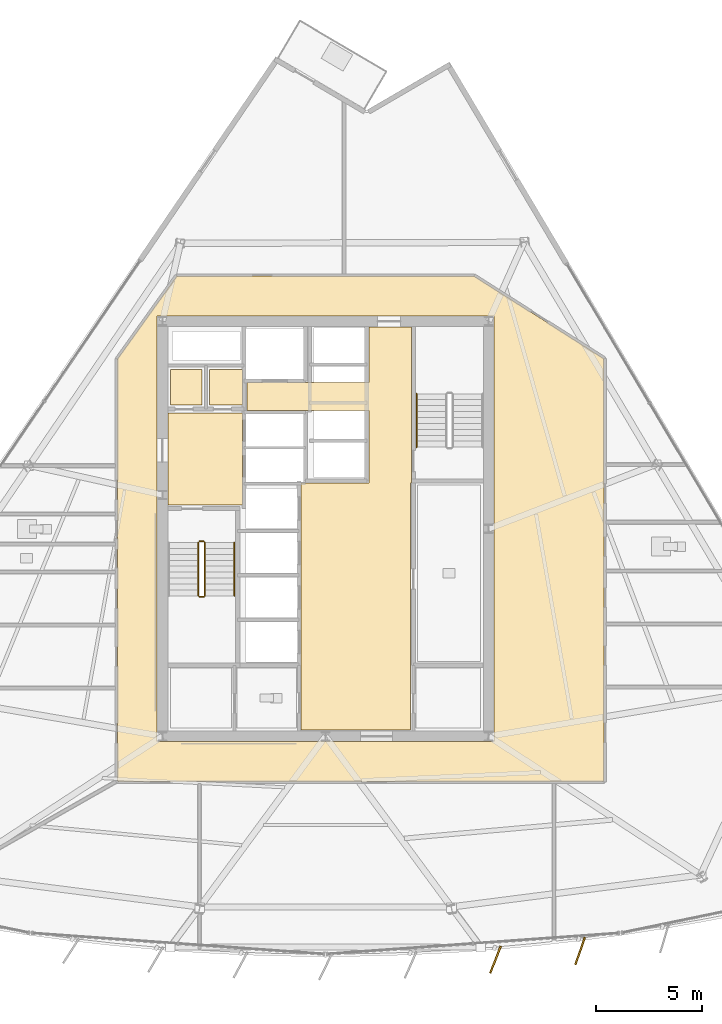
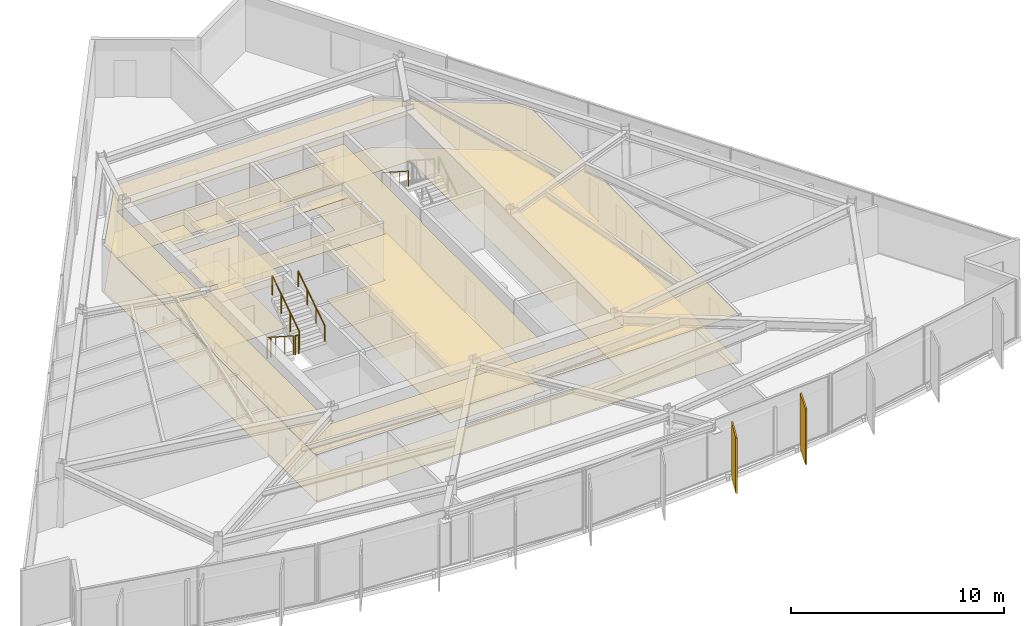
# One storey, part 13 of 16: 10 coverings, 6 railings, 2 shading devices.
"""IFC4 building model written with IfcOpenShell, lengths in metres."""

from ifc_helpers import new_model, si_unit, direction, frame, origin, origin_2d, place, context, subcontext, project, spatial, polyline, rectangle, circle, outline, extrude, material, layer, layer_set, type_object, element, save


model = new_model("IFC4")

# Units and contexts
model_context = context("Model", 3, precision=1e-05, world=origin(), true_north=direction((0.0, 1.0)))
body_context = subcontext(model_context, "Body", "Model", "MODEL_VIEW")
ifc_project = project(units=[si_unit("LENGTHUNIT", "METRE"), si_unit("AREAUNIT", "SQUARE_METRE"), si_unit("VOLUMEUNIT", "CUBIC_METRE"), si_unit("PLANEANGLEUNIT", "RADIAN"), si_unit("MASSUNIT", "GRAM", prefix="KILO")], contexts=[model_context])

# Site, building, storey
site_placement = place(None, origin())
site = spatial("IfcSite", under=ifc_project, at=site_placement, CompositionType="ELEMENT")
building_placement = place(site_placement, origin())
building = spatial("IfcBuilding", under=site, at=building_placement, Name="Savorim Split Tower", CompositionType="ELEMENT")
storey_placement = place(building_placement, frame((0.0, 0.0, 156.60009765625)))
storey = spatial("IfcBuildingStorey", under=building, at=storey_placement, Name="L41", CompositionType="ELEMENT", Elevation=156.60009765625)

# Coverings
ifc_material_1 = material(Name="Mineral Fibre Acoustic Ceiling")
ifc_layer_1 = layer(ifc_material_1, 0.02490234375)
ifc_layer_set_1 = layer_set([ifc_layer_1], Name="COV-CEIL-25")
covering_type_1 = type_object("IfcCoveringType", Name="COV-CEIL-25", PredefinedType="CEILING", material=ifc_layer_set_1)
covering_1_placement = place(storey_placement, frame((0.0, 0.0, 2.669921875)))
element("IfcCovering", 1, at=covering_1_placement, inside=storey, type_object=covering_type_1, Name="L41 Firefighting Lift Lobby Acoustic Ceiling", PredefinedType="CEILING", context=body_context, shape_type="SweptSolid", body=[
    extrude(outline(polyline([(-7.429931640625, 5.8701171875), (-7.429931640625, 1.530029296875), (-3.929931640625, 1.530029296875), (-3.929931640625, 5.8701171875), (-7.429931640625, 5.8701171875)])), origin(), (0.0, 0.0, 1.0), 0.02490234375),
])
covering_2_placement = place(storey_placement, frame((0.0, 0.0, 2.669921875)))
element("IfcCovering", 2, at=covering_2_placement, inside=storey, type_object=covering_type_1, Name="L41 Electrical Riser Acoustic Ceiling", PredefinedType="CEILING", context=body_context, shape_type="SweptSolid", body=[
    extrude(outline(polyline([(-7.320068359375, 7.919921875), (-7.320068359375, 6.22998046875), (-5.830078125, 6.22998046875), (-5.830078125, 7.919921875), (-7.320068359375, 7.919921875)])), origin(), (0.0, 0.0, 1.0), 0.02490234375),
])
covering_3_placement = place(storey_placement, frame((0.0, 0.0, 2.669921875)))
element("IfcCovering", 3, at=covering_3_placement, inside=storey, type_object=covering_type_1, Name="L41 Telecom Riser Acoustic Ceiling", PredefinedType="CEILING", context=body_context, shape_type="SweptSolid", body=[
    extrude(outline(polyline([(-5.469970703125, 7.919921875), (-5.469970703125, 6.22998046875), (-3.929931640625, 6.22998046875), (-3.929931640625, 7.919921875), (-5.469970703125, 7.919921875)])), origin(), (0.0, 0.0, 1.0), 0.02490234375),
])
covering_4_placement = place(storey_placement, frame((0.0, 0.0, 2.669921875)))
element("IfcCovering", 4, at=covering_4_placement, inside=storey, type_object=covering_type_1, Name="L41 Lift Lobby Acoustic Ceiling", PredefinedType="CEILING", context=body_context, shape_type="SweptSolid", body=[
    extrude(outline(polyline([(2.050048828125, 2.550048828125), (-1.14990234375, 2.550048828125), (-1.14990234375, -9.10009765625), (4.0, -9.10009765625), (4.0, 2.550048828125), (4.050048828125, 2.550048828125), (4.050048828125, 5.97998046875), (4.050048828125, 7.300048828125), (4.050048828125, 9.929931640625), (2.050048828125, 9.929931640625), (2.050048828125, 7.300048828125), (-3.699951171875, 7.300048828125), (-3.699951171875, 5.97998046875), (2.050048828125, 5.97998046875), (2.050048828125, 2.550048828125)])), origin(), (0.0, 0.0, 1.0), 0.02490234375),
])
covering_5_placement = place(storey_placement, frame((0.0, 0.0, 2.669921875)))
element("IfcCovering", 5, at=covering_5_placement, inside=storey, type_object=covering_type_1, Name="L41 Corridor Acoustic Ceiling", PredefinedType="CEILING", context=body_context, shape_type="SweptSolid", body=[
    extrude(outline(polyline([(7.009521484375, 12.3291015625), (7.004638671875, 12.329833984375), (7.0, 12.330078125), (-7.0, 12.330078125), (-7.004638671875, 12.329833984375), (-7.009521484375, 12.3291015625), (-7.013916015625, 12.327880859375), (-7.0185546875, 12.326416015625), (-7.022705078125, 12.324462890625), (-7.027099609375, 12.322021484375), (-7.03076171875, 12.3193359375), (-7.034423828125, 12.31640625), (-7.03759765625, 12.312744140625), (-7.04052734375, 12.30908203125), (-9.820556640625, 8.42919921875), (-9.823486328125, 8.4248046875), (-9.82568359375, 8.420166015625), (-9.82763671875, 8.415283203125), (-9.828857421875, 8.410400390625), (-9.82958984375, 8.4052734375), (-9.830078125, 8.39990234375), (-9.830078125, -11.47998046875), (-9.829833984375, -11.48486328125), (-9.8291015625, -11.48974609375), (-9.827880859375, -11.494384765625), (-9.826171875, -11.4990234375), (-9.82421875, -11.503662109375), (-9.821533203125, -11.5078125), (-9.818603515625, -11.51171875), (-9.8154296875, -11.515380859375), (-9.811767578125, -11.518798828125), (-9.807861328125, -11.521484375), (-9.8037109375, -11.524169921875), (-9.799072265625, -11.526123046875), (-9.79443359375, -11.52783203125), (-9.789794921875, -11.529052734375), (-9.784912109375, -11.52978515625), (-9.780029296875, -11.530029296875), (13.10009765625, -11.530029296875), (13.10498046875, -11.52978515625), (13.10986328125, -11.529052734375), (13.114501953125, -11.52783203125), (13.119140625, -11.526123046875), (13.12353515625, -11.524169921875), (13.127685546875, -11.521484375), (13.131591796875, -11.518798828125), (13.135498046875, -11.515380859375), (13.138671875, -11.51171875), (13.1416015625, -11.5078125), (13.14404296875, -11.503662109375), (13.146240234375, -11.4990234375), (13.147705078125, -11.494384765625), (13.14892578125, -11.48974609375), (13.14990234375, -11.48486328125), (13.14990234375, -11.47998046875), (13.14990234375, 8.39990234375), (13.149658203125, 8.405029296875), (13.14892578125, 8.409912109375), (13.147705078125, 8.414794921875), (13.14599609375, 8.41943359375), (13.143798828125, 8.424072265625), (13.14111328125, 8.42822265625), (13.13818359375, 8.432373046875), (13.134765625, 8.43603515625), (13.130859375, 8.439208984375), (13.126708984375, 8.442138671875), (7.02685546875, 12.322265625), (7.022705078125, 12.324462890625), (7.018310546875, 12.326416015625), (7.013916015625, 12.327880859375), (7.009521484375, 12.3291015625)]), holes=[polyline([(-7.949951171875, 10.449951171875), (-7.949951171875, -9.64990234375), (7.949951171875, -9.64990234375), (7.949951171875, 10.449951171875), (-7.949951171875, 10.449951171875)])]), origin(), (0.0, 0.0, 1.0), 0.02490234375),
])
ifc_material_2 = material(Name="Porcelain Stoneware Flooring", Category="masonry")
ifc_layer_2 = layer(ifc_material_2, 0.02001953125)
ifc_layer_set_2 = layer_set([ifc_layer_2], Name="COV-FLOR-20")
covering_type_2 = type_object("IfcCoveringType", Name="COV-FLOR-20", PredefinedType="FLOORING", material=ifc_layer_set_2)
covering_6_placement = place(storey_placement, origin())
element("IfcCovering", 6, at=covering_6_placement, inside=storey, type_object=covering_type_2, Name="L41 Firefighting Lift Lobby Porcelain Flooring", PredefinedType="FLOORING", context=body_context, shape_type="SweptSolid", body=[
    extrude(outline(polyline([(-7.429931640625, 5.8701171875), (-7.429931640625, 1.530029296875), (-3.929931640625, 1.530029296875), (-3.929931640625, 5.8701171875), (-7.429931640625, 5.8701171875)])), origin(), (0.0, 0.0, 1.0), 0.02001953125),
])
covering_7_placement = place(storey_placement, origin())
element("IfcCovering", 7, at=covering_7_placement, inside=storey, type_object=covering_type_2, Name="L41 Electrical Riser Porcelain Flooring", PredefinedType="FLOORING", context=body_context, shape_type="SweptSolid", body=[
    extrude(outline(polyline([(-7.320068359375, 7.919921875), (-7.320068359375, 6.22998046875), (-5.830078125, 6.22998046875), (-5.830078125, 7.919921875), (-7.320068359375, 7.919921875)])), origin(), (0.0, 0.0, 1.0), 0.02001953125),
])
covering_8_placement = place(storey_placement, origin())
element("IfcCovering", 8, at=covering_8_placement, inside=storey, type_object=covering_type_2, Name="L41 Telecom Riser Porcelain Flooring", PredefinedType="FLOORING", context=body_context, shape_type="SweptSolid", body=[
    extrude(outline(polyline([(-5.469970703125, 7.919921875), (-5.469970703125, 6.22998046875), (-3.929931640625, 6.22998046875), (-3.929931640625, 7.919921875), (-5.469970703125, 7.919921875)])), origin(), (0.0, 0.0, 1.0), 0.02001953125),
])
covering_9_placement = place(storey_placement, origin())
element("IfcCovering", 9, at=covering_9_placement, inside=storey, type_object=covering_type_2, Name="L41 Lift Lobby Porcelain Flooring", PredefinedType="FLOORING", context=body_context, shape_type="SweptSolid", body=[
    extrude(outline(polyline([(2.050048828125, 2.550048828125), (-1.14990234375, 2.550048828125), (-1.14990234375, -9.10009765625), (4.0, -9.10009765625), (4.0, 2.550048828125), (4.050048828125, 2.550048828125), (4.050048828125, 5.97998046875), (4.050048828125, 7.300048828125), (4.050048828125, 9.929931640625), (2.050048828125, 9.929931640625), (2.050048828125, 7.300048828125), (-3.699951171875, 7.300048828125), (-3.699951171875, 5.97998046875), (2.050048828125, 5.97998046875), (2.050048828125, 2.550048828125)])), origin(), (0.0, 0.0, 1.0), 0.02001953125),
])
covering_10_placement = place(storey_placement, origin())
element("IfcCovering", 10, at=covering_10_placement, inside=storey, type_object=covering_type_2, Name="L41 Corridor Porcelain Flooring", PredefinedType="FLOORING", context=body_context, shape_type="SweptSolid", body=[
    extrude(outline(polyline([(7.009521484375, 12.3291015625), (7.004638671875, 12.329833984375), (7.0, 12.330078125), (-7.0, 12.330078125), (-7.004638671875, 12.329833984375), (-7.009521484375, 12.3291015625), (-7.013916015625, 12.327880859375), (-7.0185546875, 12.326416015625), (-7.022705078125, 12.324462890625), (-7.027099609375, 12.322021484375), (-7.03076171875, 12.3193359375), (-7.034423828125, 12.31640625), (-7.03759765625, 12.312744140625), (-7.04052734375, 12.30908203125), (-9.820556640625, 8.42919921875), (-9.823486328125, 8.4248046875), (-9.82568359375, 8.420166015625), (-9.82763671875, 8.415283203125), (-9.828857421875, 8.410400390625), (-9.82958984375, 8.4052734375), (-9.830078125, 8.39990234375), (-9.830078125, -11.47998046875), (-9.829833984375, -11.48486328125), (-9.8291015625, -11.48974609375), (-9.827880859375, -11.494384765625), (-9.826171875, -11.4990234375), (-9.82421875, -11.503662109375), (-9.821533203125, -11.5078125), (-9.818603515625, -11.51171875), (-9.8154296875, -11.515380859375), (-9.811767578125, -11.518798828125), (-9.807861328125, -11.521484375), (-9.8037109375, -11.524169921875), (-9.799072265625, -11.526123046875), (-9.79443359375, -11.52783203125), (-9.789794921875, -11.529052734375), (-9.784912109375, -11.52978515625), (-9.780029296875, -11.530029296875), (13.10009765625, -11.530029296875), (13.10498046875, -11.52978515625), (13.10986328125, -11.529052734375), (13.114501953125, -11.52783203125), (13.119140625, -11.526123046875), (13.12353515625, -11.524169921875), (13.127685546875, -11.521484375), (13.131591796875, -11.518798828125), (13.135498046875, -11.515380859375), (13.138671875, -11.51171875), (13.1416015625, -11.5078125), (13.14404296875, -11.503662109375), (13.146240234375, -11.4990234375), (13.147705078125, -11.494384765625), (13.14892578125, -11.48974609375), (13.14990234375, -11.48486328125), (13.14990234375, -11.47998046875), (13.14990234375, 8.39990234375), (13.149658203125, 8.405029296875), (13.14892578125, 8.409912109375), (13.147705078125, 8.414794921875), (13.14599609375, 8.41943359375), (13.143798828125, 8.424072265625), (13.14111328125, 8.42822265625), (13.13818359375, 8.432373046875), (13.134765625, 8.43603515625), (13.130859375, 8.439208984375), (13.126708984375, 8.442138671875), (7.02685546875, 12.322265625), (7.022705078125, 12.324462890625), (7.018310546875, 12.326416015625), (7.013916015625, 12.327880859375), (7.009521484375, 12.3291015625)]), holes=[polyline([(-7.949951171875, 10.449951171875), (-7.949951171875, -9.64990234375), (7.949951171875, -9.64990234375), (7.949951171875, 10.449951171875), (-7.949951171875, 10.449951171875)])]), origin(), (0.0, 0.0, 1.0), 0.02001953125),
])

# Railings
ifc_material_3 = material(Name="Galvanised Painted Steel Balustrade", Category="steel")
railing_type_1 = type_object("IfcRailingType", Name="RLG-HR-900", PredefinedType="HANDRAIL", material=ifc_material_3)
railing_1_placement = place(storey_placement, frame((-4.300048828125, -2.77001953125, 1.97998046875)))
element("IfcRailing", 11, at=railing_1_placement, inside=storey, type_object=railing_type_1, Name="L41 ST-1 stair handrail 2", PredefinedType="HANDRAIL", context=body_context, shape_type="SweptSolid", body=[
    extrude(circle(Radius=0.02392578125, at=origin_2d()), frame((0.0, 0.0, 0.8759765625), z_axis=(0.0, 0.841199657755, 0.540724639528), x_axis=(-1.0, 0.0, 0.0)), (0.0, 0.0, 1.0), 2.995849609375),
    extrude(circle(Radius=0.02099609375, at=origin_2d()), origin(), (0.0, 0.0, 1.0), 0.851806640625),
    extrude(circle(Radius=0.02099609375, at=origin_2d()), frame((0.0, 0.840087890625, 0.5400390625)), (0.0, 0.0, 1.0), 0.851806640625),
    extrude(circle(Radius=0.02099609375, at=origin_2d()), frame((0.0, 1.679931640625, 1.079833984375)), (0.0, 0.0, 1.0), 0.851806640625),
    extrude(circle(Radius=0.02099609375, at=origin_2d()), frame((0.0, 2.52001953125, 1.619873046875)), (0.0, 0.0, 1.0), 0.851806640625),
])
railing_2_placement = place(storey_placement, frame((4.300048828125, 6.77001953125, 1.97998046875)))
element("IfcRailing", 12, at=railing_2_placement, inside=storey, type_object=railing_type_1, Name="L41 ST-2 stair handrail 2", PredefinedType="HANDRAIL", context=body_context, shape_type="SweptSolid", body=[
    extrude(circle(Radius=0.02392578125, at=origin_2d()), frame((0.0, 0.0, 0.8759765625), z_axis=(0.0, -0.841199657755, 0.540724639528), x_axis=(1.0, 0.0, 0.0)), (0.0, 0.0, 1.0), 2.995849609375),
    extrude(circle(Radius=0.02099609375, at=origin_2d()), origin(), (0.0, 0.0, 1.0), 0.851806640625),
    extrude(circle(Radius=0.02099609375, at=origin_2d()), frame((0.0, -0.840087890625, 0.5400390625)), (0.0, 0.0, 1.0), 0.851806640625),
    extrude(circle(Radius=0.02099609375, at=origin_2d()), frame((0.0, -1.679931640625, 1.079833984375)), (0.0, 0.0, 1.0), 0.851806640625),
    extrude(circle(Radius=0.02099609375, at=origin_2d()), frame((0.0, -2.52001953125, 1.619873046875)), (0.0, 0.0, 1.0), 0.851806640625),
])
railing_type_2 = type_object("IfcRailingType", Name="RLG-STG-1100", PredefinedType="BALUSTRADE", material=ifc_material_3)
railing_3_placement = place(storey_placement, frame((-6.0, -0.25, 0.179931640625)))
element("IfcRailing", 13, at=railing_3_placement, inside=storey, type_object=railing_type_2, Name="L41 ST-1 stair guard 1", PredefinedType="BALUSTRADE", context=body_context, shape_type="SweptSolid", body=[
    extrude(circle(Radius=0.02392578125, at=origin_2d()), frame((0.0, 0.0, 1.076171875), z_axis=(0.0, -0.841199657755, 0.540724639528), x_axis=(1.0, 0.0, 0.0)), (0.0, 0.0, 1.0), 2.995849609375),
    extrude(circle(Radius=0.02099609375, at=origin_2d()), origin(), (0.0, 0.0, 1.0), 1.052001953125),
    extrude(circle(Radius=0.02099609375, at=origin_2d()), frame((0.0, -0.840087890625, 0.5400390625)), (0.0, 0.0, 1.0), 1.052001953125),
    extrude(circle(Radius=0.02099609375, at=origin_2d()), frame((0.0, -1.679931640625, 1.079833984375)), (0.0, 0.0, 1.0), 1.052001953125),
    extrude(circle(Radius=0.02099609375, at=origin_2d()), frame((0.0, -2.52001953125, 1.619873046875)), (0.0, 0.0, 1.0), 1.052001953125),
])
railing_4_placement = place(storey_placement, frame((-5.949951171875, -2.820068359375, 1.7998046875)))
element("IfcRailing", 14, at=railing_4_placement, inside=storey, type_object=railing_type_2, Name="L41 ST-1 stair guard 2", PredefinedType="BALUSTRADE", context=body_context, shape_type="SweptSolid", body=[
    extrude(circle(Radius=0.02392578125, at=origin_2d()), frame((0.0, 0.0, 1.076171875), z_axis=(1.0, 0.0, 0.0), x_axis=(0.0, 1.0, 0.0)), (0.0, 0.0, 1.0), 0.199951171875),
    extrude(circle(Radius=0.02099609375, at=origin_2d()), origin(), (0.0, 0.0, 1.0), 1.052001953125),
    extrude(circle(Radius=0.02099609375, at=origin_2d()), frame((0.199951171875, 0.0, 0.0)), (0.0, 0.0, 1.0), 1.052001953125),
])
railing_5_placement = place(storey_placement, frame((-5.699951171875, -2.77001953125, 1.97998046875)))
element("IfcRailing", 15, at=railing_5_placement, inside=storey, type_object=railing_type_2, Name="L41 ST-1 stair guard 3", PredefinedType="BALUSTRADE", context=body_context, shape_type="SweptSolid", body=[
    extrude(circle(Radius=0.02392578125, at=origin_2d()), frame((0.0, 0.0, 1.076171875), z_axis=(0.0, 0.841199657755, 0.540724639528), x_axis=(-1.0, 0.0, 0.0)), (0.0, 0.0, 1.0), 2.995849609375),
    extrude(circle(Radius=0.02099609375, at=origin_2d()), origin(), (0.0, 0.0, 1.0), 1.052001953125),
    extrude(circle(Radius=0.02099609375, at=origin_2d()), frame((0.0, 0.840087890625, 0.5400390625)), (0.0, 0.0, 1.0), 1.052001953125),
    extrude(circle(Radius=0.02099609375, at=origin_2d()), frame((0.0, 1.679931640625, 1.079833984375)), (0.0, 0.0, 1.0), 1.052001953125),
    extrude(circle(Radius=0.02099609375, at=origin_2d()), frame((0.0, 2.52001953125, 1.619873046875)), (0.0, 0.0, 1.0), 1.052001953125),
])
railing_6_placement = place(storey_placement, frame((-5.949951171875, -0.199951171875, 0.0)))
element("IfcRailing", 16, at=railing_6_placement, inside=storey, type_object=railing_type_2, Name="L41 ST-1 stair guard 4", PredefinedType="BALUSTRADE", context=body_context, shape_type="SweptSolid", body=[
    extrude(circle(Radius=0.02392578125, at=origin_2d()), frame((0.0, 0.0, 1.076171875), z_axis=(1.0, 0.0, 0.0), x_axis=(0.0, 1.0, 0.0)), (0.0, 0.0, 1.0), 0.199951171875),
    extrude(circle(Radius=0.02099609375, at=origin_2d()), origin(), (0.0, 0.0, 1.0), 1.052001953125),
    extrude(circle(Radius=0.02099609375, at=origin_2d()), frame((0.199951171875, 0.0, 0.0)), (0.0, 0.0, 1.0), 1.052001953125),
])

# Shading devices
ifc_material_4 = material(Name="Terracotta Ceramic-Coated Aluminium Fin", Category="masonry")
shading_device_type = type_object("IfcShadingDeviceType", Name="SHD-FIN-1360", PredefinedType="USERDEFINED", material=ifc_material_4)
for number, where, z_axis, x_axis, name in (
    (17, (8.0234375, -19.948974609375, -0.2001953125), (0.0, 0.0, 1.0), (-0.363415461732, -0.931627179817, 0.0), "L41 Sawtooth Shading Fin 09"),
    (18, (12.0185546875, -19.538818359375, -0.2001953125), (0.0, 0.0, 1.0), (-0.324993810493, -0.945716143005, 0.0), "L41 Sawtooth Shading Fin 10"),
):
    element("IfcShadingDevice", number, at=place(storey_placement, frame(where, z_axis=z_axis, x_axis=x_axis)), inside=storey, type_object=shading_device_type, Name=name, ObjectType="FIN", PredefinedType="USERDEFINED", context=body_context, shape_type="SweptSolid", body=[
        extrude(rectangle(XDim=1.360107421875, YDim=0.080078125, at=origin_2d()), origin(), (0.0, 0.0, 1.0), 3.199951171875),
    ])

save(model, "model.ifc")
